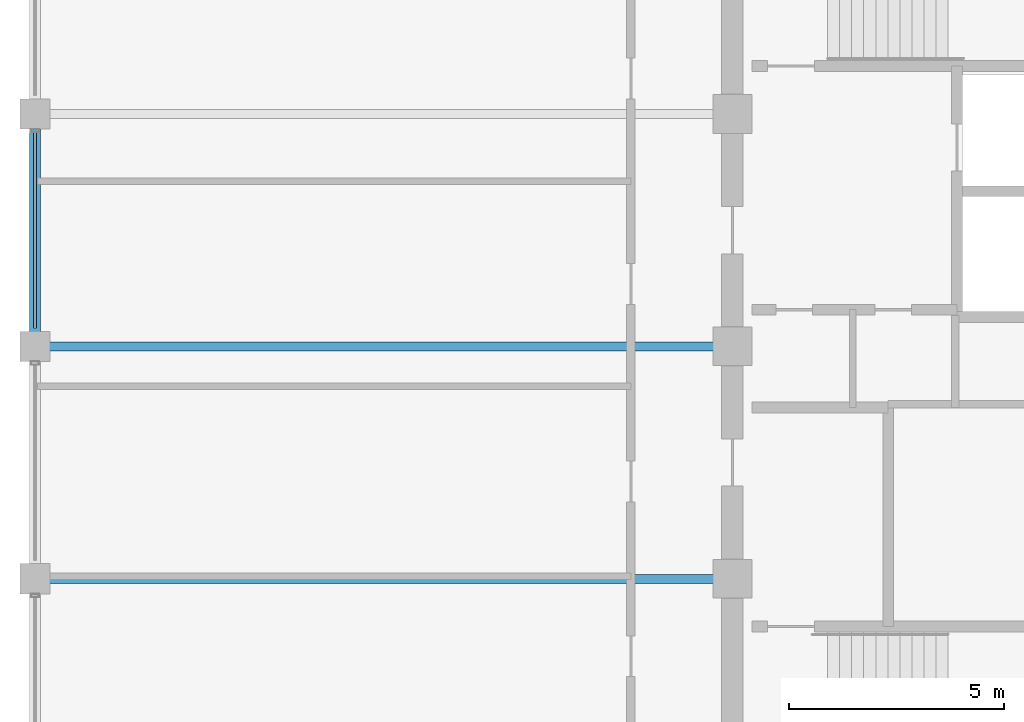
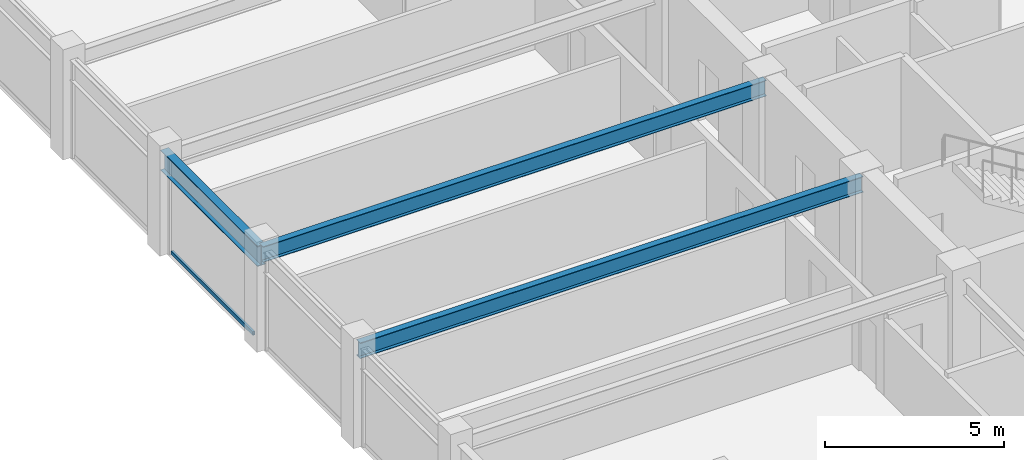
# One storey, part 9 of 31: 3 beams, 1 member, 1 element without a shape of its own.
"""IFC4 building model written with IfcOpenShell, lengths in metres."""

from ifc_helpers import new_model, si_unit, direction, frame, origin, origin_2d, place, context, subcontext, project, spatial, hollow_rectangle, i_section, extrude, material, layer, layer_set, material_profile, profile_set, type_object, element, aggregate, save


model = new_model("IFC4")

# Units and contexts
model_context = context("Model", 3, precision=1e-05, world=origin(), true_north=direction((0.0, 1.0)))
body_context = subcontext(model_context, "Body", "Model", "MODEL_VIEW")
ifc_project = project(units=[si_unit("LENGTHUNIT", "METRE"), si_unit("AREAUNIT", "SQUARE_METRE"), si_unit("VOLUMEUNIT", "CUBIC_METRE"), si_unit("PLANEANGLEUNIT", "RADIAN"), si_unit("MASSUNIT", "GRAM", prefix="KILO")], contexts=[model_context])

# Site, building, storey
site_placement = place(None, origin())
site = spatial("IfcSite", under=ifc_project, at=site_placement, CompositionType="ELEMENT")
building_placement = place(site_placement, origin())
building = spatial("IfcBuilding", under=site, at=building_placement, Name="Surkhivell Harbour Commons", CompositionType="ELEMENT")
storey_placement = place(building_placement, frame((0.0, 0.0, 333.75)))
storey = spatial("IfcBuildingStorey", under=building, at=storey_placement, Name="L87", CompositionType="ELEMENT", Elevation=333.75)

# Beams
ifc_material_1 = material(Name="Steel S355", Category="steel")
ifc_material_profile_1 = material_profile(ifc_material_1, i_section(OverallWidth=0.2099609375, OverallDepth=0.537109375, WebThickness=0.0107421875, FlangeThickness=0.017333984375, at=origin_2d()), Name="UB533x210x101")
ifc_profile_set_1 = profile_set([ifc_material_profile_1], Name="Steel S355")
beam_type_1 = type_object("IfcBeamType", Name="BM-GRD-533B", PredefinedType="BEAM", material=ifc_profile_set_1)
for number, where, z_axis, x_axis, name in (
    (1, (-27.0, -5.39990234375, 3.0615234375), (1.0, 0.0, 0.0), (0.0, 1.0, 0.0), "L87 Floor Girder (-27.0,-5.4)"),
    (2, (-27.0, 0.0, 3.0615234375), (1.0, 0.0, 0.0), (0.0, 1.0, 0.0), "L87 Floor Girder (-27.0,0.0)"),
):
    element("IfcBeam", number, at=place(storey_placement, frame(where, z_axis=z_axis, x_axis=x_axis)), inside=storey, type_object=beam_type_1, Name=name, PredefinedType="BEAM", context=body_context, shape_type="SweptSolid", body=[
        extrude(i_section(OverallWidth=0.2099609375, OverallDepth=0.537109375, WebThickness=0.0107421875, FlangeThickness=0.017333984375, at=origin_2d()), origin(), (0.0, 0.0, 1.0), 16.199951171875),
    ])
ifc_material_profile_2 = material_profile(ifc_material_1, i_section(OverallWidth=0.256103515625, OverallDepth=0.693115234375, WebThickness=0.014404296875, FlangeThickness=0.023681640625, at=origin_2d()), Name="UB686x254x170")
ifc_profile_set_2 = profile_set([ifc_material_profile_2], Name="Steel S355")
beam_type_2 = type_object("IfcBeamType", Name="BM-SPN-686", PredefinedType="SPANDREL", material=ifc_profile_set_2)
beam_placement = place(storey_placement, frame((-27.0, 0.0, 2.9833984375), z_axis=(0.0, 1.0, 0.0), x_axis=(-1.0, 0.0, 0.0)))
element("IfcBeam", 3, at=beam_placement, inside=storey, type_object=beam_type_2, Name="L87 Tube Spandrel (-27.0,0.0)", PredefinedType="SPANDREL", context=body_context, shape_type="SweptSolid", body=[
    extrude(i_section(OverallWidth=0.256103515625, OverallDepth=0.693115234375, WebThickness=0.014404296875, FlangeThickness=0.023681640625, at=origin_2d()), origin(), (0.0, 0.0, 1.0), 5.39990234375),
])

# Curtain wall, member
ifc_material_2 = material(Name="Anodised pale-metal aluminium and insulated glazing", Category="aluminium")
ifc_layer = layer(ifc_material_2, 0.175048828125)
ifc_layer_set = layer_set([ifc_layer], Name="Anodised pale-metal aluminium and insulated glazing")
curtain_wall_type = type_object("IfcCurtainWallType", Name="CW-SYS-Z4", PredefinedType="NOTDEFINED", material=ifc_layer_set)
curtain_wall_placement = place(storey_placement, origin())
curtain_wall = element("IfcCurtainWall", 4, at=curtain_wall_placement, inside=storey, type_object=curtain_wall_type, Name="L87 Curtain Wall CW-L87-E12S1", PredefinedType="NOTDEFINED")
ifc_material_3 = material(Name="Champagne anodised aluminium alloy 6063-T6", Category="aluminium")
ifc_material_profile_3 = material_profile(ifc_material_3, hollow_rectangle(XDim=0.070068359375, YDim=0.1298828125, WallThickness=0.00341796875, at=origin_2d()), Name="ALU-TRAN-70x130")
ifc_profile_set_3 = profile_set([ifc_material_profile_3], Name="Champagne anodised aluminium alloy 6063-T6")
member_type = type_object("IfcMemberType", Name="CWT-130", PredefinedType="USERDEFINED", material=ifc_profile_set_3)
member_placement = place(storey_placement, frame((-27.0, 4.972900390625, 0.06494140625), z_axis=(0.0, -1.0, 0.0), x_axis=(1.0, 0.0, 0.0)))
member = element("IfcMember", 5, at=member_placement, type_object=member_type, Name="CW-Z4 transom 4.1", ObjectType="TRANSOM", PredefinedType="USERDEFINED", context=body_context, shape_type="SweptSolid", body=[
    extrude(hollow_rectangle(XDim=0.070068359375, YDim=0.1298828125, WallThickness=0.00341796875, at=origin_2d()), origin(), (0.0, 0.0, 1.0), 4.5458984375),
])
aggregate(curtain_wall, [member])

save(model, "model.ifc")
